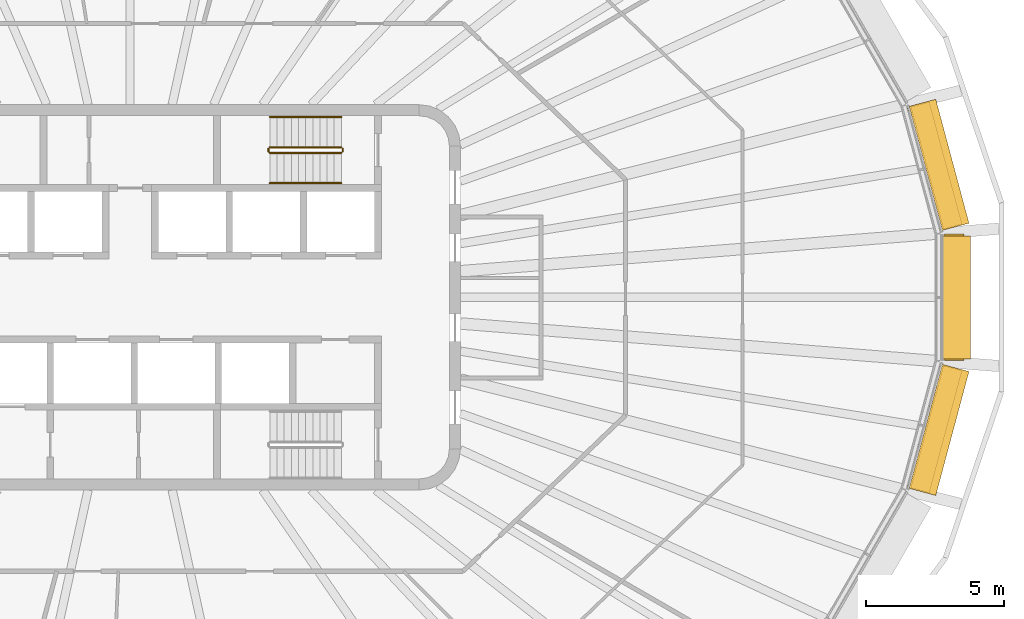
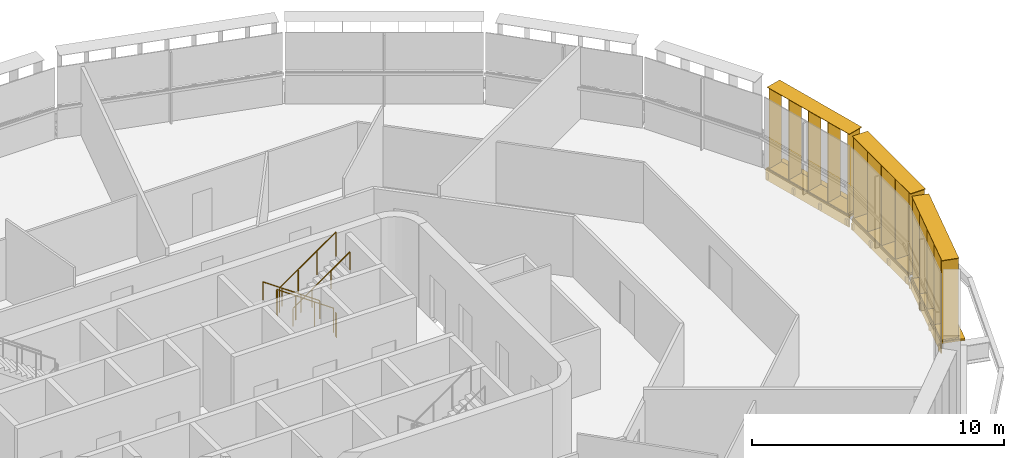
# One storey, part 18 of 19: 6 railings, 6 shading devices.
"""IFC4 building model written with IfcOpenShell, lengths in metres."""

from ifc_helpers import new_model, si_unit, direction, frame, origin, origin_2d, place, context, subcontext, project, spatial, rectangle, circle, extrude, material, type_object, element, save


model = new_model("IFC4")

# Units and contexts
model_context = context("Model", 3, precision=1e-05, world=origin(), true_north=direction((0.0, 1.0)))
body_context = subcontext(model_context, "Body", "Model", "MODEL_VIEW")
ifc_project = project(units=[si_unit("LENGTHUNIT", "METRE"), si_unit("AREAUNIT", "SQUARE_METRE"), si_unit("VOLUMEUNIT", "CUBIC_METRE"), si_unit("PLANEANGLEUNIT", "RADIAN"), si_unit("MASSUNIT", "GRAM", prefix="KILO")], contexts=[model_context])

# Site, building, storey
site_placement = place(None, origin())
site = spatial("IfcSite", under=ifc_project, at=site_placement, CompositionType="ELEMENT")
building_placement = place(site_placement, origin())
building = spatial("IfcBuilding", under=site, at=building_placement, Name="Sahrelin Media Tower", CompositionType="ELEMENT")
storey_placement = place(building_placement, frame((0.0, 0.0, 275.0)))
storey = spatial("IfcBuildingStorey", under=building, at=storey_placement, Name="L60", CompositionType="ELEMENT", Elevation=275.0)

# Shading devices
ifc_material_1 = material(Name="Champagne anodised aluminium 6063-T6", Category="aluminium")
shading_device_type_1 = type_object("IfcShadingDeviceType", Name="Fin cassette", PredefinedType="USERDEFINED", material=ifc_material_1)
placement_1 = place(storey_placement, frame((29.513916015625, 0.0, 0.0), z_axis=(0.0, 0.0, 1.0), x_axis=(0.0, -1.0, 0.0)))
element("IfcShadingDevice", 1, at=placement_1, inside=storey, type_object=shading_device_type_1, Name="L60:FIN:L60-00", ObjectType="FIN", PredefinedType="USERDEFINED", context=body_context, shape_type="SweptSolid", body=[
    extrude(rectangle(XDim=4.60009765625, YDim=0.699951171875, at=origin_2d()), frame((0.0, 0.419921875, 0.0)), (0.0, 0.0, 1.0), 0.02001953125),
    extrude(rectangle(XDim=4.60009765625, YDim=0.699951171875, at=origin_2d()), frame((0.0, 0.419921875, 3.89990234375)), (0.0, 0.0, 1.0), 0.02001953125),
    extrude(rectangle(XDim=0.02001953125, YDim=0.699951171875, at=origin_2d()), frame((-2.199951171875, 0.419921875, 0.010009765625), z_axis=(0.0, 0.0, 1.0), x_axis=(1.0, 0.0, 0.0)), (0.0, 0.0, 1.0), 3.89990234375),
    extrude(rectangle(XDim=0.02001953125, YDim=0.699951171875, at=origin_2d()), frame((-1.10009765625, 0.419921875, 0.010009765625), z_axis=(0.0, 0.0, 1.0), x_axis=(1.0, 0.0, 0.0)), (0.0, 0.0, 1.0), 3.89990234375),
    extrude(rectangle(XDim=0.02001953125, YDim=0.699951171875, at=origin_2d()), frame((0.0, 0.419921875, 0.010009765625), z_axis=(0.0, 0.0, 1.0), x_axis=(1.0, 0.0, 0.0)), (0.0, 0.0, 1.0), 3.89990234375),
    extrude(rectangle(XDim=0.02001953125, YDim=0.699951171875, at=origin_2d()), frame((1.10009765625, 0.419921875, 0.010009765625), z_axis=(0.0, 0.0, 1.0), x_axis=(1.0, 0.0, 0.0)), (0.0, 0.0, 1.0), 3.89990234375),
    extrude(rectangle(XDim=0.02001953125, YDim=0.699951171875, at=origin_2d()), frame((2.199951171875, 0.419921875, 0.010009765625), z_axis=(0.0, 0.0, 1.0), x_axis=(1.0, 0.0, 0.0)), (0.0, 0.0, 1.0), 3.89990234375),
])
placement_2 = place(storey_placement, frame((28.884765625, 4.681396484375, 0.0), z_axis=(0.0, 0.0, 1.0), x_axis=(0.258807731996, -0.965928857556, 0.0)))
element("IfcShadingDevice", 2, at=placement_2, inside=storey, type_object=shading_device_type_1, Name="L60:FIN:L60-01", ObjectType="FIN", PredefinedType="USERDEFINED", context=body_context, shape_type="SweptSolid", body=[
    extrude(rectangle(XDim=4.60009765625, YDim=0.699951171875, at=origin_2d()), frame((0.0, 0.419921875, 0.0)), (0.0, 0.0, 1.0), 0.02001953125),
    extrude(rectangle(XDim=4.60009765625, YDim=0.699951171875, at=origin_2d()), frame((0.0, 0.419921875, 3.89990234375)), (0.0, 0.0, 1.0), 0.02001953125),
    extrude(rectangle(XDim=0.02001953125, YDim=0.699951171875, at=origin_2d()), frame((-2.199951171875, 0.419921875, 0.010009765625), z_axis=(0.0, 0.0, 1.0), x_axis=(1.0, 0.0, 0.0)), (0.0, 0.0, 1.0), 3.89990234375),
    extrude(rectangle(XDim=0.02001953125, YDim=0.699951171875, at=origin_2d()), frame((-1.10009765625, 0.419921875, 0.010009765625), z_axis=(0.0, 0.0, 1.0), x_axis=(1.0, 0.0, 0.0)), (0.0, 0.0, 1.0), 3.89990234375),
    extrude(rectangle(XDim=0.02001953125, YDim=0.699951171875, at=origin_2d()), frame((0.0, 0.419921875, 0.010009765625), z_axis=(0.0, 0.0, 1.0), x_axis=(1.0, 0.0, 0.0)), (0.0, 0.0, 1.0), 3.89990234375),
    extrude(rectangle(XDim=0.02001953125, YDim=0.699951171875, at=origin_2d()), frame((1.10009765625, 0.419921875, 0.010009765625), z_axis=(0.0, 0.0, 1.0), x_axis=(1.0, 0.0, 0.0)), (0.0, 0.0, 1.0), 3.89990234375),
    extrude(rectangle(XDim=0.02001953125, YDim=0.699951171875, at=origin_2d()), frame((2.199951171875, 0.419921875, 0.010009765625), z_axis=(0.0, 0.0, 1.0), x_axis=(1.0, 0.0, 0.0)), (0.0, 0.0, 1.0), 3.89990234375),
])
placement_3 = place(storey_placement, frame((28.884765625, -4.681396484375, 0.0), z_axis=(0.0, 0.0, 1.0), x_axis=(-0.258807731996, -0.965928857556, 0.0)))
element("IfcShadingDevice", 3, at=placement_3, inside=storey, type_object=shading_device_type_1, Name="L60:FIN:L60-23", ObjectType="FIN", PredefinedType="USERDEFINED", context=body_context, shape_type="SweptSolid", body=[
    extrude(rectangle(XDim=4.60009765625, YDim=0.699951171875, at=origin_2d()), frame((0.0, 0.419921875, 0.0)), (0.0, 0.0, 1.0), 0.02001953125),
    extrude(rectangle(XDim=4.60009765625, YDim=0.699951171875, at=origin_2d()), frame((0.0, 0.419921875, 3.89990234375)), (0.0, 0.0, 1.0), 0.02001953125),
    extrude(rectangle(XDim=0.02001953125, YDim=0.699951171875, at=origin_2d()), frame((-2.199951171875, 0.419921875, 0.010009765625), z_axis=(0.0, 0.0, 1.0), x_axis=(1.0, 0.0, 0.0)), (0.0, 0.0, 1.0), 3.89990234375),
    extrude(rectangle(XDim=0.02001953125, YDim=0.699951171875, at=origin_2d()), frame((-1.10009765625, 0.419921875, 0.010009765625), z_axis=(0.0, 0.0, 1.0), x_axis=(1.0, 0.0, 0.0)), (0.0, 0.0, 1.0), 3.89990234375),
    extrude(rectangle(XDim=0.02001953125, YDim=0.699951171875, at=origin_2d()), frame((0.0, 0.419921875, 0.010009765625), z_axis=(0.0, 0.0, 1.0), x_axis=(1.0, 0.0, 0.0)), (0.0, 0.0, 1.0), 3.89990234375),
    extrude(rectangle(XDim=0.02001953125, YDim=0.699951171875, at=origin_2d()), frame((1.10009765625, 0.419921875, 0.010009765625), z_axis=(0.0, 0.0, 1.0), x_axis=(1.0, 0.0, 0.0)), (0.0, 0.0, 1.0), 3.89990234375),
    extrude(rectangle(XDim=0.02001953125, YDim=0.699951171875, at=origin_2d()), frame((2.199951171875, 0.419921875, 0.010009765625), z_axis=(0.0, 0.0, 1.0), x_axis=(1.0, 0.0, 0.0)), (0.0, 0.0, 1.0), 3.89990234375),
])

# Railings
ifc_material_2 = material(Name="Steel S355", Category="steel")
railing_type_1 = type_object("IfcRailingType", Name="Stair guard 1200", PredefinedType="GUARDRAIL", material=ifc_material_2)
railing_1_placement = place(storey_placement, frame((7.675048828125, 5.449951171875, 0.181884765625)))
element("IfcRailing", 4, at=railing_1_placement, inside=storey, type_object=railing_type_1, Name="L60 ST3 stair guard 1", PredefinedType="GUARDRAIL", context=body_context, shape_type="SweptSolid", body=[
    extrude(circle(Radius=0.02392578125, at=origin_2d()), frame((0.0, 0.0, 1.17578125), z_axis=(-0.819521025635, 0.0, 0.573049115296), x_axis=(0.0, -1.0, 0.0)), (0.0, 0.0, 1.0), 3.172607421875),
    extrude(circle(Radius=0.02099609375, at=origin_2d()), origin(), (0.0, 0.0, 1.0), 1.15185546875),
    extrude(circle(Radius=0.02099609375, at=origin_2d()), frame((-0.86669921875, 0.0, 0.60595703125)), (0.0, 0.0, 1.0), 1.15185546875),
    extrude(circle(Radius=0.02099609375, at=origin_2d()), frame((-1.7333984375, 0.0, 1.212158203125)), (0.0, 0.0, 1.0), 1.15185546875),
    extrude(circle(Radius=0.02099609375, at=origin_2d()), frame((-2.60009765625, 0.0, 1.818115234375)), (0.0, 0.0, 1.0), 1.15185546875),
])
railing_2_placement = place(storey_placement, frame((5.02490234375, 5.39990234375, 2.0)))
element("IfcRailing", 5, at=railing_2_placement, inside=storey, type_object=railing_type_1, Name="L60 ST3 stair guard 2", PredefinedType="GUARDRAIL", context=body_context, shape_type="SweptSolid", body=[
    extrude(circle(Radius=0.02392578125, at=origin_2d()), frame((0.0, 0.0, 1.17578125), z_axis=(0.0, -1.0, 0.0), x_axis=(1.0, 0.0, 0.0)), (0.0, 0.0, 1.0), 0.099853515625),
    extrude(circle(Radius=0.02099609375, at=origin_2d()), origin(), (0.0, 0.0, 1.0), 1.15185546875),
    extrude(circle(Radius=0.02099609375, at=origin_2d()), frame((0.0, -0.099853515625, 0.0)), (0.0, 0.0, 1.0), 1.15185546875),
])
railing_3_placement = place(storey_placement, frame((5.074951171875, 5.25, 2.181884765625)))
element("IfcRailing", 6, at=railing_3_placement, inside=storey, type_object=railing_type_1, Name="L60 ST3 stair guard 3", PredefinedType="GUARDRAIL", context=body_context, shape_type="SweptSolid", body=[
    extrude(circle(Radius=0.02392578125, at=origin_2d()), frame((0.0, 0.0, 1.17578125), z_axis=(0.819521025635, 0.0, 0.573049115296), x_axis=(0.0, 1.0, 0.0)), (0.0, 0.0, 1.0), 3.172607421875),
    extrude(circle(Radius=0.02099609375, at=origin_2d()), origin(), (0.0, 0.0, 1.0), 1.15185546875),
    extrude(circle(Radius=0.02099609375, at=origin_2d()), frame((0.86669921875, 0.0, 0.60595703125)), (0.0, 0.0, 1.0), 1.15185546875),
    extrude(circle(Radius=0.02099609375, at=origin_2d()), frame((1.7333984375, 0.0, 1.212158203125)), (0.0, 0.0, 1.0), 1.15185546875),
    extrude(circle(Radius=0.02099609375, at=origin_2d()), frame((2.60009765625, 0.0, 1.818115234375)), (0.0, 0.0, 1.0), 1.15185546875),
])
railing_4_placement = place(storey_placement, frame((7.72509765625, 5.39990234375, 0.0)))
element("IfcRailing", 7, at=railing_4_placement, inside=storey, type_object=railing_type_1, Name="L60 ST3 stair guard 4", PredefinedType="GUARDRAIL", context=body_context, shape_type="SweptSolid", body=[
    extrude(circle(Radius=0.02392578125, at=origin_2d()), frame((0.0, 0.0, 1.17578125), z_axis=(0.0, -1.0, 0.0), x_axis=(1.0, 0.0, 0.0)), (0.0, 0.0, 1.0), 0.099853515625),
    extrude(circle(Radius=0.02099609375, at=origin_2d()), origin(), (0.0, 0.0, 1.0), 1.15185546875),
    extrude(circle(Radius=0.02099609375, at=origin_2d()), frame((0.0, -0.099853515625, 0.0)), (0.0, 0.0, 1.0), 1.15185546875),
])
railing_type_2 = type_object("IfcRailingType", Name="Stair handrail 900", PredefinedType="HANDRAIL", material=ifc_material_2)
railing_5_placement = place(storey_placement, frame((7.675048828125, 6.550048828125, 0.181884765625)))
element("IfcRailing", 8, at=railing_5_placement, inside=storey, type_object=railing_type_2, Name="L60 ST3 stair handrail 1", PredefinedType="HANDRAIL", context=body_context, shape_type="SweptSolid", body=[
    extrude(circle(Radius=0.02392578125, at=origin_2d()), frame((0.0, 0.0, 0.8759765625), z_axis=(-0.819521025635, 0.0, 0.573049115296), x_axis=(0.0, -1.0, 0.0)), (0.0, 0.0, 1.0), 3.172607421875),
    extrude(circle(Radius=0.02099609375, at=origin_2d()), origin(), (0.0, 0.0, 1.0), 0.851806640625),
    extrude(circle(Radius=0.02099609375, at=origin_2d()), frame((-0.86669921875, 0.0, 0.60595703125)), (0.0, 0.0, 1.0), 0.851806640625),
    extrude(circle(Radius=0.02099609375, at=origin_2d()), frame((-1.7333984375, 0.0, 1.212158203125)), (0.0, 0.0, 1.0), 0.851806640625),
    extrude(circle(Radius=0.02099609375, at=origin_2d()), frame((-2.60009765625, 0.0, 1.818115234375)), (0.0, 0.0, 1.0), 0.851806640625),
])
railing_6_placement = place(storey_placement, frame((5.074951171875, 4.14990234375, 2.181884765625)))
element("IfcRailing", 9, at=railing_6_placement, inside=storey, type_object=railing_type_2, Name="L60 ST3 stair handrail 2", PredefinedType="HANDRAIL", context=body_context, shape_type="SweptSolid", body=[
    extrude(circle(Radius=0.02392578125, at=origin_2d()), frame((0.0, 0.0, 0.8759765625), z_axis=(0.819521025635, 0.0, 0.573049115296), x_axis=(0.0, 1.0, 0.0)), (0.0, 0.0, 1.0), 3.172607421875),
    extrude(circle(Radius=0.02099609375, at=origin_2d()), origin(), (0.0, 0.0, 1.0), 0.851806640625),
    extrude(circle(Radius=0.02099609375, at=origin_2d()), frame((0.86669921875, 0.0, 0.60595703125)), (0.0, 0.0, 1.0), 0.851806640625),
    extrude(circle(Radius=0.02099609375, at=origin_2d()), frame((1.7333984375, 0.0, 1.212158203125)), (0.0, 0.0, 1.0), 0.851806640625),
    extrude(circle(Radius=0.02099609375, at=origin_2d()), frame((2.60009765625, 0.0, 1.818115234375)), (0.0, 0.0, 1.0), 0.851806640625),
])

# Shading devices
shading_device_type_2 = type_object("IfcShadingDeviceType", Name="Sunshade band", PredefinedType="USERDEFINED", material=ifc_material_1)
element("IfcShadingDevice", 10, at=placement_1, inside=storey, type_object=shading_device_type_2, Name="L60:SUN:L60-00", ObjectType="SUNSHADE", PredefinedType="USERDEFINED", context=body_context, shape_type="SweptSolid", body=[
    extrude(rectangle(XDim=4.466064453125, YDim=0.050048828125, at=origin_2d()), frame((0.0, 0.044921875, -0.55126953125)), (0.0, 0.0, 1.0), 0.471435546875),
    extrude(rectangle(XDim=4.466064453125, YDim=1.0, at=origin_2d()), frame((0.0, 0.52001953125, -0.080078125)), (0.0, 0.0, 1.0), 0.080078125),
    extrude(rectangle(XDim=0.10009765625, YDim=0.074951171875, at=origin_2d()), frame((-2.133056640625, -0.017578125, -0.47021484375)), (0.0, 0.0, 1.0), 0.300048828125),
    extrude(rectangle(XDim=0.10009765625, YDim=0.074951171875, at=origin_2d()), frame((-0.7109375, -0.017578125, -0.47021484375)), (0.0, 0.0, 1.0), 0.300048828125),
    extrude(rectangle(XDim=0.10009765625, YDim=0.074951171875, at=origin_2d()), frame((0.7109375, -0.017578125, -0.47021484375)), (0.0, 0.0, 1.0), 0.300048828125),
    extrude(rectangle(XDim=0.10009765625, YDim=0.074951171875, at=origin_2d()), frame((2.133056640625, -0.017578125, -0.47021484375)), (0.0, 0.0, 1.0), 0.300048828125),
])
element("IfcShadingDevice", 11, at=placement_2, inside=storey, type_object=shading_device_type_2, Name="L60:SUN:L60-01", ObjectType="SUNSHADE", PredefinedType="USERDEFINED", context=body_context, shape_type="SweptSolid", body=[
    extrude(rectangle(XDim=4.66259765625, YDim=0.050048828125, at=origin_2d()), frame((0.0, 0.044921875, -0.55126953125)), (0.0, 0.0, 1.0), 0.471435546875),
    extrude(rectangle(XDim=4.66259765625, YDim=1.0, at=origin_2d()), frame((0.0, 0.52001953125, -0.080078125)), (0.0, 0.0, 1.0), 0.080078125),
    extrude(rectangle(XDim=0.10009765625, YDim=0.074951171875, at=origin_2d()), frame((-2.231201171875, -0.017578125, -0.47021484375)), (0.0, 0.0, 1.0), 0.300048828125),
    extrude(rectangle(XDim=0.10009765625, YDim=0.074951171875, at=origin_2d()), frame((-0.743896484375, -0.017578125, -0.47021484375)), (0.0, 0.0, 1.0), 0.300048828125),
    extrude(rectangle(XDim=0.10009765625, YDim=0.074951171875, at=origin_2d()), frame((0.743896484375, -0.017578125, -0.47021484375)), (0.0, 0.0, 1.0), 0.300048828125),
    extrude(rectangle(XDim=0.10009765625, YDim=0.074951171875, at=origin_2d()), frame((2.231201171875, -0.017578125, -0.47021484375)), (0.0, 0.0, 1.0), 0.300048828125),
])
element("IfcShadingDevice", 12, at=placement_3, inside=storey, type_object=shading_device_type_2, Name="L60:SUN:L60-23", ObjectType="SUNSHADE", PredefinedType="USERDEFINED", context=body_context, shape_type="SweptSolid", body=[
    extrude(rectangle(XDim=4.66259765625, YDim=0.050048828125, at=origin_2d()), frame((0.0, 0.044921875, -0.55126953125)), (0.0, 0.0, 1.0), 0.471435546875),
    extrude(rectangle(XDim=4.66259765625, YDim=1.0, at=origin_2d()), frame((0.0, 0.52001953125, -0.080078125)), (0.0, 0.0, 1.0), 0.080078125),
    extrude(rectangle(XDim=0.10009765625, YDim=0.074951171875, at=origin_2d()), frame((-2.231201171875, -0.017578125, -0.47021484375)), (0.0, 0.0, 1.0), 0.300048828125),
    extrude(rectangle(XDim=0.10009765625, YDim=0.074951171875, at=origin_2d()), frame((-0.743896484375, -0.017578125, -0.47021484375)), (0.0, 0.0, 1.0), 0.300048828125),
    extrude(rectangle(XDim=0.10009765625, YDim=0.074951171875, at=origin_2d()), frame((0.743896484375, -0.017578125, -0.47021484375)), (0.0, 0.0, 1.0), 0.300048828125),
    extrude(rectangle(XDim=0.10009765625, YDim=0.074951171875, at=origin_2d()), frame((2.231201171875, -0.017578125, -0.47021484375)), (0.0, 0.0, 1.0), 0.300048828125),
])

save(model, "model.ifc")
